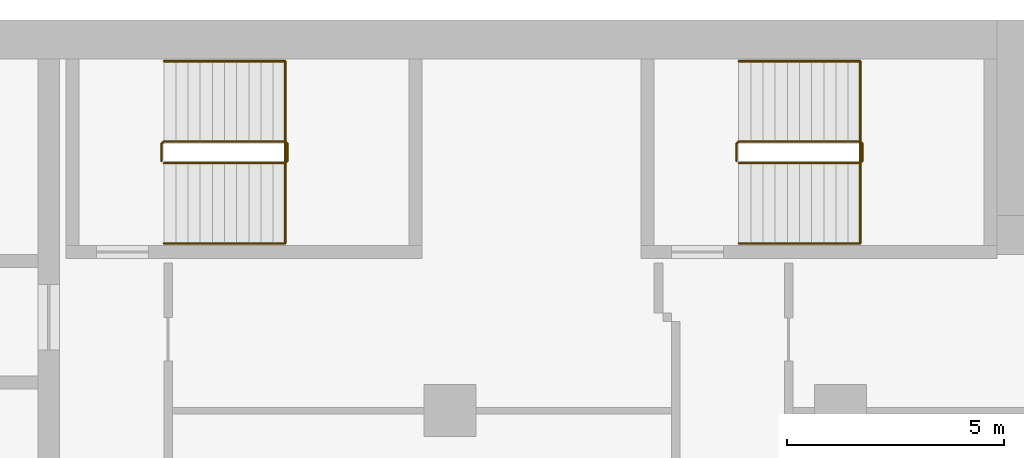
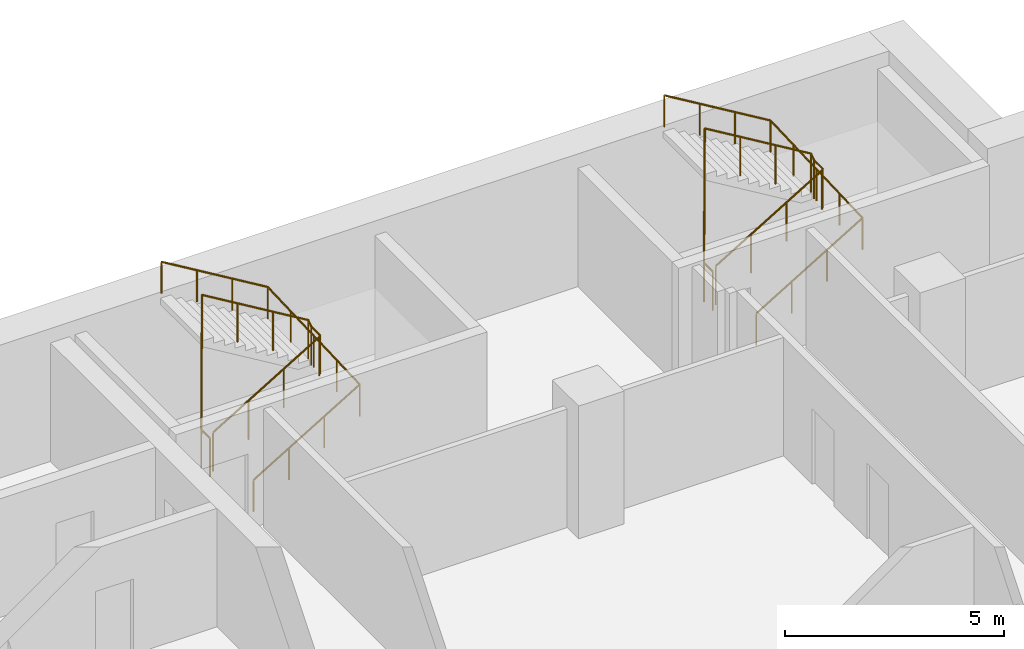
# One storey, part 23 of 23: 4 railings.
"""IFC4 building model written with IfcOpenShell, lengths in metres."""

from ifc_helpers import new_model, si_unit, direction, frame, origin, origin_2d, place, context, subcontext, project, spatial, circle, extrude, material, type_object, element, save


model = new_model("IFC4")

# Units and contexts
model_context = context("Model", 3, precision=1e-05, world=origin(), true_north=direction((0.0, 1.0)))
body_context = subcontext(model_context, "Body", "Model", "MODEL_VIEW")
ifc_project = project(units=[si_unit("LENGTHUNIT", "METRE"), si_unit("AREAUNIT", "SQUARE_METRE"), si_unit("VOLUMEUNIT", "CUBIC_METRE"), si_unit("PLANEANGLEUNIT", "RADIAN"), si_unit("MASSUNIT", "GRAM", prefix="KILO")], contexts=[model_context])

# Site, building, storey
site_placement = place(None, origin())
site = spatial("IfcSite", under=ifc_project, at=site_placement, CompositionType="ELEMENT")
building_placement = place(site_placement, origin())
building = spatial("IfcBuilding", under=site, at=building_placement, Name="Hunhe Ridgeline Campus", CompositionType="ELEMENT")
storey_placement = place(building_placement, frame((0.0, 0.0, 144.89990234375)))
storey = spatial("IfcBuildingStorey", under=building, at=storey_placement, Name="L36", CompositionType="ELEMENT", Elevation=144.89990234375)

# Railings
ifc_material_1 = material(Name="Stainless steel balustrade", Category="steel")
railing_type_1 = type_object("IfcRailingType", Name="Stair guard 1100 stainless", PredefinedType="GUARDRAIL", material=ifc_material_1)
railing_1_placement = place(storey_placement, frame((38.39990234375, 95.699951171875, 0.168212890625)))
element("IfcRailing", 1, at=railing_1_placement, inside=storey, type_object=railing_type_1, Name="L36 stair E1 guard", PredefinedType="GUARDRAIL", context=body_context, shape_type="SweptSolid", body=[
    extrude(circle(Radius=0.02392578125, at=origin_2d()), frame((0.0, 0.0, 1.076171875), z_axis=(0.857242210791, 0.0, 0.514913383045), x_axis=(0.0, 1.0, 0.0)), (0.0, 0.0, 1.0), 3.266357421875),
    extrude(circle(Radius=0.02392578125, at=origin_2d()), frame((2.800048828125, 0.0, 2.7578125), z_axis=(0.707106781187, 0.707106781187, 0.0), x_axis=(-0.707106781187, 0.707106781187, 0.0)), (0.0, 0.0, 1.0), 0.07080078125),
    extrude(circle(Radius=0.02392578125, at=origin_2d()), frame((2.85009765625, 0.050048828125, 2.7578125), z_axis=(0.0, 1.0, 0.0), x_axis=(-1.0, 0.0, 0.0)), (0.0, 0.0, 1.0), 0.39990234375),
    extrude(circle(Radius=0.02392578125, at=origin_2d()), frame((2.85009765625, 0.449951171875, 2.7578125), z_axis=(-0.274243871929, 0.274243871929, 0.92172696468), x_axis=(-0.707106781187, -0.707106781187, 0.0)), (0.0, 0.0, 1.0), 0.1826171875),
    extrude(circle(Radius=0.02392578125, at=origin_2d()), frame((2.800048828125, 0.5, 2.92626953125), z_axis=(-0.857242210791, 0.0, 0.514913383045), x_axis=(0.0, -1.0, 0.0)), (0.0, 0.0, 1.0), 3.266357421875),
    extrude(circle(Radius=0.02392578125, at=origin_2d()), frame((0.0, 0.5, 4.60791015625), z_axis=(-0.013457565943, -0.013523534403, -0.999817987404), x_axis=(0.708833529934, -0.705375805398, 0.0)), (0.0, 0.0, 1.0), 3.700927734375),
    extrude(circle(Radius=0.02392578125, at=origin_2d()), frame((-0.0498046875, 0.449951171875, 0.90771484375), z_axis=(0.0, -1.0, 0.0), x_axis=(1.0, 0.0, 0.0)), (0.0, 0.0, 1.0), 0.39990234375),
    extrude(circle(Radius=0.02099609375, at=origin_2d()), origin(), (0.0, 0.0, 1.0), 1.052001953125),
    extrude(circle(Radius=0.02099609375, at=origin_2d()), frame((0.933349609375, 0.0, 0.560546875)), (0.0, 0.0, 1.0), 1.052001953125),
    extrude(circle(Radius=0.02099609375, at=origin_2d()), frame((1.86669921875, 0.0, 1.121337890625)), (0.0, 0.0, 1.0), 1.052001953125),
    extrude(circle(Radius=0.02099609375, at=origin_2d()), frame((2.800048828125, 0.0, 1.681884765625)), (0.0, 0.0, 1.0), 1.052001953125),
    extrude(circle(Radius=0.02099609375, at=origin_2d()), frame((2.85009765625, 0.050048828125, 1.681884765625)), (0.0, 0.0, 1.0), 1.052001953125),
    extrude(circle(Radius=0.02099609375, at=origin_2d()), frame((2.85009765625, 0.449951171875, 1.681884765625)), (0.0, 0.0, 1.0), 1.052001953125),
    extrude(circle(Radius=0.02099609375, at=origin_2d()), frame((2.800048828125, 0.5, 1.85009765625)), (0.0, 0.0, 1.0), 1.052001953125),
    extrude(circle(Radius=0.02099609375, at=origin_2d()), frame((1.86669921875, 0.5, 2.41064453125)), (0.0, 0.0, 1.0), 1.052001953125),
    extrude(circle(Radius=0.02099609375, at=origin_2d()), frame((0.933349609375, 0.5, 2.971435546875)), (0.0, 0.0, 1.0), 1.052001953125),
    extrude(circle(Radius=0.02099609375, at=origin_2d()), frame((0.0, 0.5, 3.531982421875)), (0.0, 0.0, 1.0), 1.052001953125),
    extrude(circle(Radius=0.02099609375, at=origin_2d()), frame((-0.012451171875, 0.487548828125, 2.60693359375)), (0.0, 0.0, 1.0), 1.052001953125),
    extrude(circle(Radius=0.02099609375, at=origin_2d()), frame((-0.02490234375, 0.47509765625, 1.681884765625)), (0.0, 0.0, 1.0), 1.052001953125),
    extrude(circle(Radius=0.02099609375, at=origin_2d()), frame((-0.037353515625, 0.46240234375, 0.7568359375)), (0.0, 0.0, 1.0), 1.052001953125),
    extrude(circle(Radius=0.02099609375, at=origin_2d()), frame((-0.0498046875, 0.449951171875, -0.168212890625)), (0.0, 0.0, 1.0), 1.052001953125),
    extrude(circle(Radius=0.02099609375, at=origin_2d()), frame((-0.0498046875, 0.050048828125, -0.168212890625)), (0.0, 0.0, 1.0), 1.052001953125),
])
railing_2_placement = place(storey_placement, frame((51.64990234375, 95.699951171875, 0.168212890625)))
element("IfcRailing", 2, at=railing_2_placement, inside=storey, type_object=railing_type_1, Name="L36 stair E2 guard", PredefinedType="GUARDRAIL", context=body_context, shape_type="SweptSolid", body=[
    extrude(circle(Radius=0.02392578125, at=origin_2d()), frame((0.0, 0.0, 1.076171875), z_axis=(0.857242210791, 0.0, 0.514913383045), x_axis=(0.0, 1.0, 0.0)), (0.0, 0.0, 1.0), 3.266357421875),
    extrude(circle(Radius=0.02392578125, at=origin_2d()), frame((2.800048828125, 0.0, 2.7578125), z_axis=(0.707106781187, 0.707106781187, 0.0), x_axis=(-0.707106781187, 0.707106781187, 0.0)), (0.0, 0.0, 1.0), 0.07080078125),
    extrude(circle(Radius=0.02392578125, at=origin_2d()), frame((2.85009765625, 0.050048828125, 2.7578125), z_axis=(0.0, 1.0, 0.0), x_axis=(-1.0, 0.0, 0.0)), (0.0, 0.0, 1.0), 0.39990234375),
    extrude(circle(Radius=0.02392578125, at=origin_2d()), frame((2.85009765625, 0.449951171875, 2.7578125), z_axis=(-0.274243871929, 0.274243871929, 0.92172696468), x_axis=(-0.707106781187, -0.707106781187, 0.0)), (0.0, 0.0, 1.0), 0.1826171875),
    extrude(circle(Radius=0.02392578125, at=origin_2d()), frame((2.800048828125, 0.5, 2.92626953125), z_axis=(-0.857242210791, 0.0, 0.514913383045), x_axis=(0.0, -1.0, 0.0)), (0.0, 0.0, 1.0), 3.266357421875),
    extrude(circle(Radius=0.02392578125, at=origin_2d()), frame((0.0, 0.5, 4.60791015625), z_axis=(-0.013457565943, -0.013523534403, -0.999817987404), x_axis=(0.708833529934, -0.705375805398, 0.0)), (0.0, 0.0, 1.0), 3.700927734375),
    extrude(circle(Radius=0.02392578125, at=origin_2d()), frame((-0.0498046875, 0.449951171875, 0.90771484375), z_axis=(0.0, -1.0, 0.0), x_axis=(1.0, 0.0, 0.0)), (0.0, 0.0, 1.0), 0.39990234375),
    extrude(circle(Radius=0.02099609375, at=origin_2d()), origin(), (0.0, 0.0, 1.0), 1.052001953125),
    extrude(circle(Radius=0.02099609375, at=origin_2d()), frame((0.933349609375, 0.0, 0.560546875)), (0.0, 0.0, 1.0), 1.052001953125),
    extrude(circle(Radius=0.02099609375, at=origin_2d()), frame((1.86669921875, 0.0, 1.121337890625)), (0.0, 0.0, 1.0), 1.052001953125),
    extrude(circle(Radius=0.02099609375, at=origin_2d()), frame((2.800048828125, 0.0, 1.681884765625)), (0.0, 0.0, 1.0), 1.052001953125),
    extrude(circle(Radius=0.02099609375, at=origin_2d()), frame((2.85009765625, 0.050048828125, 1.681884765625)), (0.0, 0.0, 1.0), 1.052001953125),
    extrude(circle(Radius=0.02099609375, at=origin_2d()), frame((2.85009765625, 0.449951171875, 1.681884765625)), (0.0, 0.0, 1.0), 1.052001953125),
    extrude(circle(Radius=0.02099609375, at=origin_2d()), frame((2.800048828125, 0.5, 1.85009765625)), (0.0, 0.0, 1.0), 1.052001953125),
    extrude(circle(Radius=0.02099609375, at=origin_2d()), frame((1.86669921875, 0.5, 2.41064453125)), (0.0, 0.0, 1.0), 1.052001953125),
    extrude(circle(Radius=0.02099609375, at=origin_2d()), frame((0.933349609375, 0.5, 2.971435546875)), (0.0, 0.0, 1.0), 1.052001953125),
    extrude(circle(Radius=0.02099609375, at=origin_2d()), frame((0.0, 0.5, 3.531982421875)), (0.0, 0.0, 1.0), 1.052001953125),
    extrude(circle(Radius=0.02099609375, at=origin_2d()), frame((-0.012451171875, 0.487548828125, 2.60693359375)), (0.0, 0.0, 1.0), 1.052001953125),
    extrude(circle(Radius=0.02099609375, at=origin_2d()), frame((-0.02490234375, 0.47509765625, 1.681884765625)), (0.0, 0.0, 1.0), 1.052001953125),
    extrude(circle(Radius=0.02099609375, at=origin_2d()), frame((-0.037353515625, 0.46240234375, 0.7568359375)), (0.0, 0.0, 1.0), 1.052001953125),
    extrude(circle(Radius=0.02099609375, at=origin_2d()), frame((-0.0498046875, 0.449951171875, -0.168212890625)), (0.0, 0.0, 1.0), 1.052001953125),
    extrude(circle(Radius=0.02099609375, at=origin_2d()), frame((-0.0498046875, 0.050048828125, -0.168212890625)), (0.0, 0.0, 1.0), 1.052001953125),
])
ifc_material_2 = material(Name="Stainless steel handrail", Category="steel")
railing_type_2 = type_object("IfcRailingType", Name="Stair handrail 900 stainless", PredefinedType="HANDRAIL", material=ifc_material_2)
railing_3_placement = place(storey_placement, frame((38.39990234375, 93.85009765625, 0.168212890625)))
element("IfcRailing", 3, at=railing_3_placement, inside=storey, type_object=railing_type_2, Name="L36 stair E1 handrail", PredefinedType="HANDRAIL", context=body_context, shape_type="SweptSolid", body=[
    extrude(circle(Radius=0.02392578125, at=origin_2d()), frame((0.0, 0.0, 0.8759765625), z_axis=(0.857242210791, 0.0, 0.514913383045), x_axis=(0.0, 1.0, 0.0)), (0.0, 0.0, 1.0), 3.266357421875),
    extrude(circle(Radius=0.02392578125, at=origin_2d()), frame((2.800048828125, 0.0, 2.5576171875), z_axis=(0.0, 0.999198916169, 0.040019069537), x_axis=(-1.0, 0.0, 0.0)), (0.0, 0.0, 1.0), 4.203369140625),
    extrude(circle(Radius=0.02392578125, at=origin_2d()), frame((2.800048828125, 4.199951171875, 2.72607421875), z_axis=(-0.857242210791, 0.0, 0.514913383045), x_axis=(0.0, -1.0, 0.0)), (0.0, 0.0, 1.0), 3.266357421875),
    extrude(circle(Radius=0.02099609375, at=origin_2d()), origin(), (0.0, 0.0, 1.0), 0.851806640625),
    extrude(circle(Radius=0.02099609375, at=origin_2d()), frame((0.933349609375, 0.0, 0.560546875)), (0.0, 0.0, 1.0), 0.851806640625),
    extrude(circle(Radius=0.02099609375, at=origin_2d()), frame((1.86669921875, 0.0, 1.121337890625)), (0.0, 0.0, 1.0), 0.851806640625),
    extrude(circle(Radius=0.02099609375, at=origin_2d()), frame((2.800048828125, 0.0, 1.681884765625)), (0.0, 0.0, 1.0), 0.851806640625),
    extrude(circle(Radius=0.02099609375, at=origin_2d()), frame((2.800048828125, 1.050048828125, 1.723876953125)), (0.0, 0.0, 1.0), 0.851806640625),
    extrude(circle(Radius=0.02099609375, at=origin_2d()), frame((2.800048828125, 2.10009765625, 1.76611328125)), (0.0, 0.0, 1.0), 0.851806640625),
    extrude(circle(Radius=0.02099609375, at=origin_2d()), frame((2.800048828125, 3.14990234375, 1.80810546875)), (0.0, 0.0, 1.0), 0.851806640625),
    extrude(circle(Radius=0.02099609375, at=origin_2d()), frame((2.800048828125, 4.199951171875, 1.85009765625)), (0.0, 0.0, 1.0), 0.851806640625),
    extrude(circle(Radius=0.02099609375, at=origin_2d()), frame((1.86669921875, 4.199951171875, 2.41064453125)), (0.0, 0.0, 1.0), 0.851806640625),
    extrude(circle(Radius=0.02099609375, at=origin_2d()), frame((0.933349609375, 4.199951171875, 2.971435546875)), (0.0, 0.0, 1.0), 0.851806640625),
    extrude(circle(Radius=0.02099609375, at=origin_2d()), frame((0.0, 4.199951171875, 3.531982421875)), (0.0, 0.0, 1.0), 0.851806640625),
])
railing_4_placement = place(storey_placement, frame((51.64990234375, 93.85009765625, 0.168212890625)))
element("IfcRailing", 4, at=railing_4_placement, inside=storey, type_object=railing_type_2, Name="L36 stair E2 handrail", PredefinedType="HANDRAIL", context=body_context, shape_type="SweptSolid", body=[
    extrude(circle(Radius=0.02392578125, at=origin_2d()), frame((0.0, 0.0, 0.8759765625), z_axis=(0.857242210791, 0.0, 0.514913383045), x_axis=(0.0, 1.0, 0.0)), (0.0, 0.0, 1.0), 3.266357421875),
    extrude(circle(Radius=0.02392578125, at=origin_2d()), frame((2.800048828125, 0.0, 2.5576171875), z_axis=(0.0, 0.999198916169, 0.040019069537), x_axis=(-1.0, 0.0, 0.0)), (0.0, 0.0, 1.0), 4.203369140625),
    extrude(circle(Radius=0.02392578125, at=origin_2d()), frame((2.800048828125, 4.199951171875, 2.72607421875), z_axis=(-0.857242210791, 0.0, 0.514913383045), x_axis=(0.0, -1.0, 0.0)), (0.0, 0.0, 1.0), 3.266357421875),
    extrude(circle(Radius=0.02099609375, at=origin_2d()), origin(), (0.0, 0.0, 1.0), 0.851806640625),
    extrude(circle(Radius=0.02099609375, at=origin_2d()), frame((0.933349609375, 0.0, 0.560546875)), (0.0, 0.0, 1.0), 0.851806640625),
    extrude(circle(Radius=0.02099609375, at=origin_2d()), frame((1.86669921875, 0.0, 1.121337890625)), (0.0, 0.0, 1.0), 0.851806640625),
    extrude(circle(Radius=0.02099609375, at=origin_2d()), frame((2.800048828125, 0.0, 1.681884765625)), (0.0, 0.0, 1.0), 0.851806640625),
    extrude(circle(Radius=0.02099609375, at=origin_2d()), frame((2.800048828125, 1.050048828125, 1.723876953125)), (0.0, 0.0, 1.0), 0.851806640625),
    extrude(circle(Radius=0.02099609375, at=origin_2d()), frame((2.800048828125, 2.10009765625, 1.76611328125)), (0.0, 0.0, 1.0), 0.851806640625),
    extrude(circle(Radius=0.02099609375, at=origin_2d()), frame((2.800048828125, 3.14990234375, 1.80810546875)), (0.0, 0.0, 1.0), 0.851806640625),
    extrude(circle(Radius=0.02099609375, at=origin_2d()), frame((2.800048828125, 4.199951171875, 1.85009765625)), (0.0, 0.0, 1.0), 0.851806640625),
    extrude(circle(Radius=0.02099609375, at=origin_2d()), frame((1.86669921875, 4.199951171875, 2.41064453125)), (0.0, 0.0, 1.0), 0.851806640625),
    extrude(circle(Radius=0.02099609375, at=origin_2d()), frame((0.933349609375, 4.199951171875, 2.971435546875)), (0.0, 0.0, 1.0), 0.851806640625),
    extrude(circle(Radius=0.02099609375, at=origin_2d()), frame((0.0, 4.199951171875, 3.531982421875)), (0.0, 0.0, 1.0), 0.851806640625),
])

save(model, "model.ifc")
